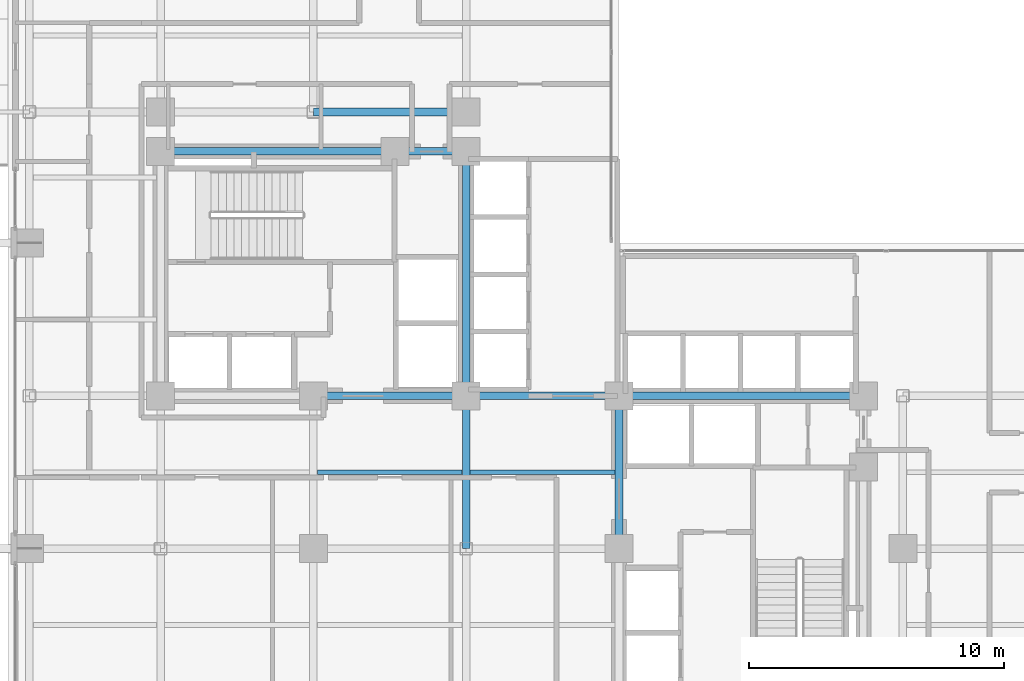
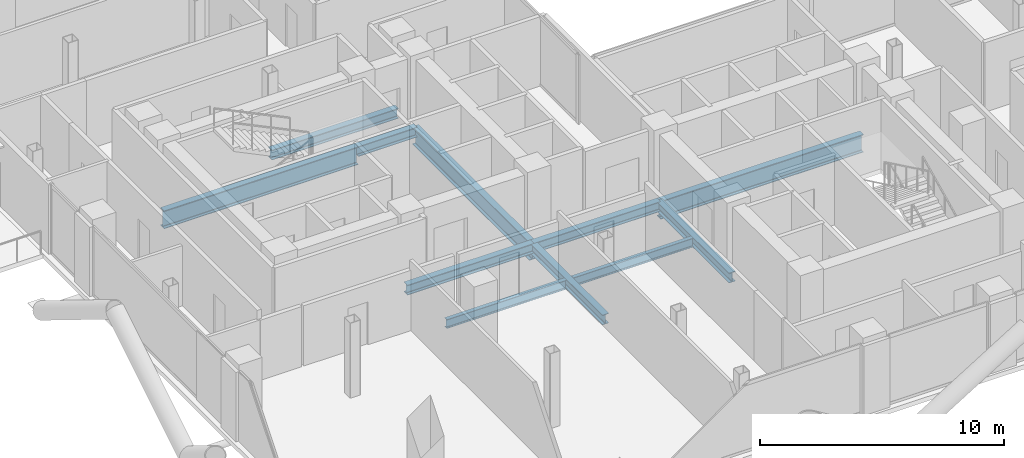
# One storey, part 8 of 28: 11 beams.
"""IFC4 building model written with IfcOpenShell, lengths in metres."""

from ifc_helpers import new_model, si_unit, direction, frame, origin, origin_2d, place, context, subcontext, project, spatial, i_section, extrude, material, material_profile, profile_set, type_object, element, save


model = new_model("IFC4")

# Units and contexts
model_context = context("Model", 3, precision=1e-05, world=origin(), true_north=direction((0.0, 1.0)))
body_context = subcontext(model_context, "Body", "Model", "MODEL_VIEW")
ifc_project = project(units=[si_unit("LENGTHUNIT", "METRE"), si_unit("AREAUNIT", "SQUARE_METRE"), si_unit("VOLUMEUNIT", "CUBIC_METRE"), si_unit("PLANEANGLEUNIT", "RADIAN"), si_unit("MASSUNIT", "GRAM", prefix="KILO"), si_unit("THERMODYNAMICTEMPERATUREUNIT", "KELVIN"), si_unit("POWERUNIT", "WATT")], contexts=[model_context])

# Site, building, storey
site_placement = place(None, origin())
site = spatial("IfcSite", under=ifc_project, at=site_placement, CompositionType="ELEMENT")
building_placement = place(site_placement, origin())
building = spatial("IfcBuilding", under=site, at=building_placement, Name="Svarakhadi Broadcast Tower", CompositionType="ELEMENT")
storey_placement = place(building_placement, frame((0.0, 0.0, 107.10009765625)))
storey = spatial("IfcBuildingStorey", under=building, at=storey_placement, Name="L25", CompositionType="ELEMENT", Elevation=107.10009765625)

# Beams
ifc_material_1 = material(Name="Steel S355J2 (IS 2062 E350C)", Category="steel")
ifc_material_profile_1 = material_profile(ifc_material_1, i_section(OverallWidth=0.18994140625, OverallDepth=0.449951171875, WebThickness=0.009521484375, FlangeThickness=0.0146484375, FilletRadius=0.02099609375, at=origin_2d()), Name="NPB 450x190x78")
ifc_profile_set_1 = profile_set([ifc_material_profile_1], Name="Steel S355J2 (IS 2062 E350C)")
beam_type_1 = type_object("IfcBeamType", Name="Beam_NPB450", PredefinedType="BEAM", material=ifc_profile_set_1)
for number, where, z_axis, x_axis, name in (
    (1, (12.159912109375, 15.0, -0.4501953125), (1.0, 0.0, 0.0), (0.0, 1.0, 0.0), "L25 Secondary Composite Beam SB013"),
    (2, (18.159912109375, 15.0, -0.4501953125), (1.0, 0.0, 0.0), (0.0, 1.0, 0.0), "L25 Secondary Composite Beam SB018"),
):
    element("IfcBeam", number, at=place(storey_placement, frame(where, z_axis=z_axis, x_axis=x_axis)), inside=storey, type_object=beam_type_1, Name=name, PredefinedType="BEAM", context=body_context, shape_type="SweptSolid", body=[
        extrude(i_section(OverallWidth=0.18994140625, OverallDepth=0.449951171875, WebThickness=0.009521484375, FlangeThickness=0.0146484375, FilletRadius=0.02099609375, at=origin_2d()), origin(), (0.0, 0.0, 1.0), 5.68017578125),
    ])
ifc_material_profile_2 = material_profile(ifc_material_1, i_section(OverallWidth=0.300048828125, OverallDepth=0.5, WebThickness=0.014404296875, FlangeThickness=0.028076171875, FilletRadius=0.027099609375, at=origin_2d()), Name="WPB 500x300x187")
ifc_profile_set_2 = profile_set([ifc_material_profile_2], Name="Steel S355J2 (IS 2062 E350C)")
beam_type_2 = type_object("IfcBeamType", Name="Girder_WPB500", PredefinedType="USERDEFINED", material=ifc_profile_set_2)
for number, where, z_axis, x_axis, name in (
    (3, (12.0, 18.0, -0.47509765625), (1.0, 0.0, 0.0), (0.0, 1.0, 0.0), "L25 Primary E-W Girder G025"),
    (4, (18.0, 18.0, -0.47509765625), (1.0, 0.0, 0.0), (0.0, 1.0, 0.0), "L25 Primary E-W Girder G026"),
):
    element("IfcBeam", number, at=place(storey_placement, frame(where, z_axis=z_axis, x_axis=x_axis)), inside=storey, type_object=beam_type_2, Name=name, ObjectType="GIRDER", PredefinedType="USERDEFINED", context=body_context, shape_type="SweptSolid", body=[
        extrude(i_section(OverallWidth=0.300048828125, OverallDepth=0.5, WebThickness=0.014404296875, FlangeThickness=0.028076171875, FilletRadius=0.027099609375, at=origin_2d()), origin(), (0.0, 0.0, 1.0), 6.0),
    ])
beam_1_placement = place(storey_placement, frame((15.199951171875, 27.60009765625, -0.47509765625), z_axis=(1.0, 0.0, 0.0), x_axis=(0.0, 1.0, 0.0)))
element("IfcBeam", 5, at=beam_1_placement, inside=storey, type_object=beam_type_2, Name="L25 Primary E-W Girder G031", ObjectType="GIRDER", PredefinedType="USERDEFINED", context=body_context, shape_type="SweptSolid", body=[
    extrude(i_section(OverallWidth=0.300048828125, OverallDepth=0.5, WebThickness=0.014404296875, FlangeThickness=0.028076171875, FilletRadius=0.027099609375, at=origin_2d()), origin(), (0.0, 0.0, 1.0), 2.800048828125),
])
for number, where, z_axis, x_axis, name in (
    (6, (12.0, 29.14990234375, -0.47509765625), (1.0, 0.0, 0.0), (0.0, 1.0, 0.0), "L25 Primary E-W Girder G034"),
    (7, (18.0, 12.0, -0.47509765625), (0.0, 1.0, 0.0), (-1.0, 0.0, 0.0), "L25 Primary N-S Girder G058"),
    (8, (24.0, 12.0, -0.47509765625), (0.0, 1.0, 0.0), (-1.0, 0.0, 0.0), "L25 Primary N-S Girder G064"),
):
    element("IfcBeam", number, at=place(storey_placement, frame(where, z_axis=z_axis, x_axis=x_axis)), inside=storey, type_object=beam_type_2, Name=name, ObjectType="GIRDER", PredefinedType="USERDEFINED", context=body_context, shape_type="SweptSolid", body=[
        extrude(i_section(OverallWidth=0.300048828125, OverallDepth=0.5, WebThickness=0.014404296875, FlangeThickness=0.028076171875, FilletRadius=0.027099609375, at=origin_2d()), origin(), (0.0, 0.0, 1.0), 6.0),
    ])
ifc_material_2 = material(Name="Steel S460ML (IS 2062 E450BR)", Category="steel")
ifc_material_profile_3 = material_profile(ifc_material_2, i_section(OverallWidth=0.300048828125, OverallDepth=0.89990234375, WebThickness=0.0185546875, FlangeThickness=0.034912109375, FilletRadius=0.030029296875, at=origin_2d()), Name="WPB 900x300x291")
ifc_profile_set_3 = profile_set([ifc_material_profile_3], Name="Steel S460ML (IS 2062 E450BR)")
beam_type_3 = type_object("IfcBeamType", Name="Girder_WPB900", PredefinedType="USERDEFINED", material=ifc_profile_set_3)
beam_2_placement = place(storey_placement, frame((24.0, 18.0, -0.675048828125), z_axis=(1.0, 0.0, 0.0), x_axis=(0.0, 1.0, 0.0)))
element("IfcBeam", 9, at=beam_2_placement, inside=storey, type_object=beam_type_3, Name="L25 Primary E-W Girder G027", ObjectType="GIRDER", PredefinedType="USERDEFINED", context=body_context, shape_type="SweptSolid", body=[
    extrude(i_section(OverallWidth=0.300048828125, OverallDepth=0.89990234375, WebThickness=0.0185546875, FlangeThickness=0.034912109375, FilletRadius=0.030029296875, at=origin_2d()), origin(), (0.0, 0.0, 1.0), 9.60009765625),
])
beam_3_placement = place(storey_placement, frame((6.0, 27.60009765625, -0.675048828125), z_axis=(1.0, 0.0, 0.0), x_axis=(0.0, 1.0, 0.0)))
element("IfcBeam", 10, at=beam_3_placement, inside=storey, type_object=beam_type_3, Name="L25 Primary E-W Girder G030", ObjectType="GIRDER", PredefinedType="USERDEFINED", context=body_context, shape_type="SweptSolid", body=[
    extrude(i_section(OverallWidth=0.300048828125, OverallDepth=0.89990234375, WebThickness=0.0185546875, FlangeThickness=0.034912109375, FilletRadius=0.030029296875, at=origin_2d()), origin(), (0.0, 0.0, 1.0), 9.199951171875),
])
beam_4_placement = place(storey_placement, frame((18.0, 18.0, -0.675048828125), z_axis=(0.0, 1.0, 0.0), x_axis=(-1.0, 0.0, 0.0)))
element("IfcBeam", 11, at=beam_4_placement, inside=storey, type_object=beam_type_3, Name="L25 Primary N-S Girder G059", ObjectType="GIRDER", PredefinedType="USERDEFINED", context=body_context, shape_type="SweptSolid", body=[
    extrude(i_section(OverallWidth=0.300048828125, OverallDepth=0.89990234375, WebThickness=0.0185546875, FlangeThickness=0.034912109375, FilletRadius=0.030029296875, at=origin_2d()), origin(), (0.0, 0.0, 1.0), 9.60009765625),
])

save(model, "model.ifc")
